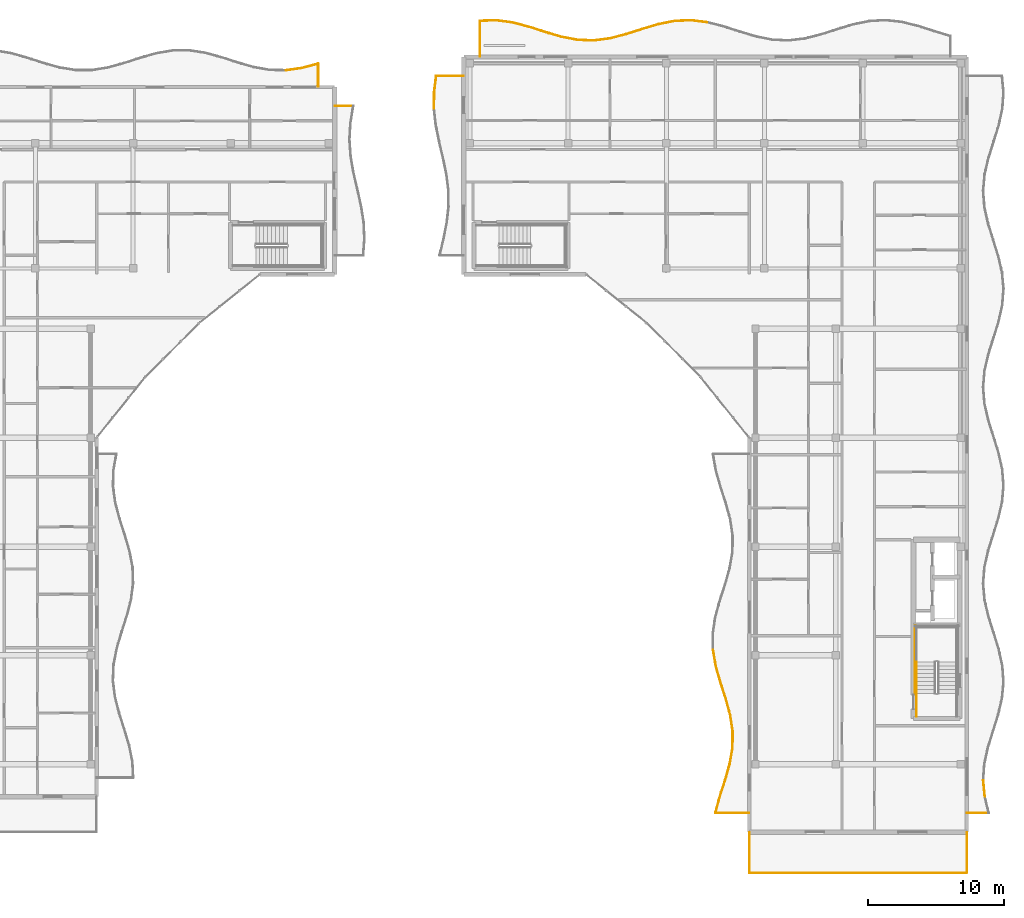
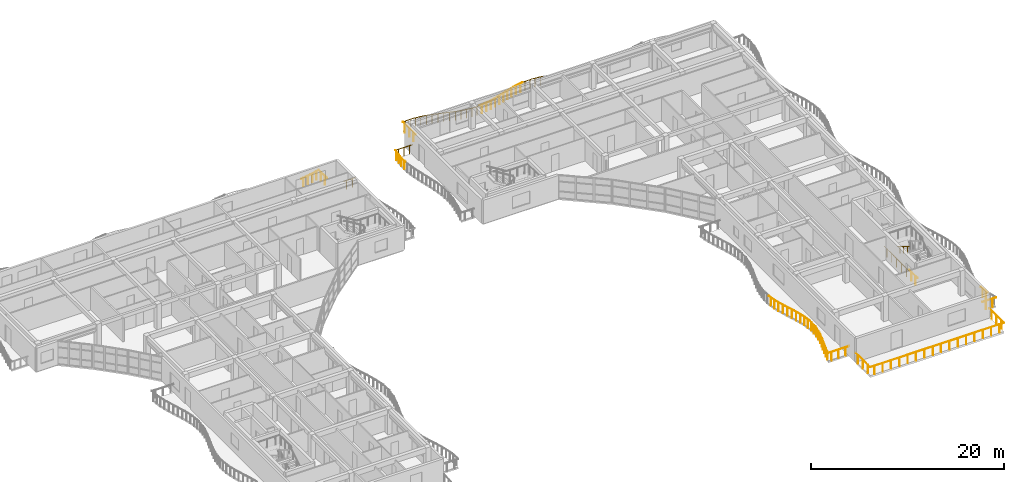
# One storey, part 46 of 49: 41 railings.
"""IFC4 building model written with IfcOpenShell, lengths in metres."""

from ifc_helpers import new_model, si_unit, direction, frame, origin, origin_2d, place, context, subcontext, project, spatial, circle, extrude, material, type_object, element, save


model = new_model("IFC4")

# Units and contexts
model_context = context("Model", 3, precision=1e-05, world=origin(), true_north=direction((0.0, 1.0)))
body_context = subcontext(model_context, "Body", "Model", "MODEL_VIEW")
ifc_project = project(units=[si_unit("LENGTHUNIT", "METRE"), si_unit("AREAUNIT", "SQUARE_METRE"), si_unit("VOLUMEUNIT", "CUBIC_METRE"), si_unit("PLANEANGLEUNIT", "RADIAN"), si_unit("MASSUNIT", "GRAM", prefix="KILO")], contexts=[model_context])

# Site, building, storey
site_placement = place(None, origin())
site = spatial("IfcSite", under=ifc_project, at=site_placement, CompositionType="ELEMENT")
building_placement = place(site_placement, origin())
building = spatial("IfcBuilding", under=site, at=building_placement, Name="Keldmere Railside Commons", CompositionType="ELEMENT")
storey_placement = place(building_placement, frame((0.0, 0.0, 29.760009765625)))
storey = spatial("IfcBuildingStorey", under=building, at=storey_placement, Name="L09", CompositionType="ELEMENT", Elevation=29.760009765625)

# Railings
ifc_material = material(Name="Steel F-24 (S235)", Category="steel")
railing_type_1 = type_object("IfcRailingType", Name="Balcony & Terrace Steel Balustrade 1100", PredefinedType="BALUSTRADE", material=ifc_material)
railing_1_placement = place(storey_placement, frame((133.9228515625, 115.015380859375, 0.0)))
element("IfcRailing", 1, at=railing_1_placement, inside=storey, type_object=railing_type_1, Name="GR-1 GRD-L09-2873", PredefinedType="BALUSTRADE", context=body_context, shape_type="SweptSolid", body=[
    extrude(circle(Radius=0.02392578125, at=origin_2d()), frame((0.0, 0.0, 1.076171875), z_axis=(0.989790277009, 0.142531426496, 0.0), x_axis=(-0.142531426496, 0.989790277009, 0.0)), (0.0, 0.0, 1.0), 1.20068359375),
    extrude(circle(Radius=0.02099609375, at=origin_2d()), frame((0.297119140625, 0.042724609375, 0.0)), (0.0, 0.0, 1.0), 1.048095703125),
    extrude(circle(Radius=0.02099609375, at=origin_2d()), frame((0.891357421875, 0.12841796875, 0.0)), (0.0, 0.0, 1.0), 1.048095703125),
])
railing_2_placement = place(storey_placement, frame((135.111328125, 115.1865234375, 0.0)))
element("IfcRailing", 2, at=railing_2_placement, inside=storey, type_object=railing_type_1, Name="GR-1 GRD-L09-2874", PredefinedType="BALUSTRADE", context=body_context, shape_type="SweptSolid", body=[
    extrude(circle(Radius=0.02392578125, at=origin_2d()), frame((0.0, 0.0, 1.076171875), z_axis=(0.965709530189, 0.25962492812, 0.0), x_axis=(-0.25962492812, 0.965709530189, 0.0)), (0.0, 0.0, 1.0), 1.23095703125),
    extrude(circle(Radius=0.02099609375, at=origin_2d()), frame((0.297119140625, 0.079833984375, 0.0)), (0.0, 0.0, 1.0), 1.048095703125),
    extrude(circle(Radius=0.02099609375, at=origin_2d()), frame((0.8916015625, 0.23974609375, 0.0)), (0.0, 0.0, 1.0), 1.048095703125),
])
railing_3_placement = place(storey_placement, frame((136.300048828125, 115.506103515625, 0.0)))
element("IfcRailing", 3, at=railing_3_placement, inside=storey, type_object=railing_type_1, Name="GR-1 GRD-L09-2875", PredefinedType="BALUSTRADE", context=body_context, shape_type="SweptSolid", body=[
    extrude(circle(Radius=0.02392578125, at=origin_2d()), frame((0.0, 0.0, 1.076171875), z_axis=(0.0, -1.0, 0.0), x_axis=(1.0, 0.0, 0.0)), (0.0, 0.0, 1.0), 1.7060546875),
    extrude(circle(Radius=0.02099609375, at=origin_2d()), frame((0.0, -0.426513671875, 0.0)), (0.0, 0.0, 1.0), 1.048095703125),
    extrude(circle(Radius=0.02099609375, at=origin_2d()), frame((0.0, -1.279541015625, 0.0)), (0.0, 0.0, 1.0), 1.048095703125),
])
railing_4_placement = place(storey_placement, frame((138.87841796875, 112.39990234375, 0.0)))
element("IfcRailing", 4, at=railing_4_placement, inside=storey, type_object=railing_type_1, Name="GR-1 GRD-L09-2932", PredefinedType="BALUSTRADE", context=body_context, shape_type="SweptSolid", body=[
    extrude(circle(Radius=0.02392578125, at=origin_2d()), frame((0.0, 0.0, 1.076171875), z_axis=(-1.0, 0.0, 0.0), x_axis=(0.0, -1.0, 0.0)), (0.0, 0.0, 1.0), 1.37841796875),
    extrude(circle(Radius=0.02099609375, at=origin_2d()), frame((-0.3447265625, 0.0, 0.0)), (0.0, 0.0, 1.0), 1.048095703125),
    extrude(circle(Radius=0.02099609375, at=origin_2d()), frame((-1.03369140625, 0.0, 0.0)), (0.0, 0.0, 1.0), 1.048095703125),
])
railing_5_placement = place(storey_placement, frame((148.199951171875, 116.0, 0.0)))
element("IfcRailing", 5, at=railing_5_placement, inside=storey, type_object=railing_type_1, Name="GR-1 GRD-L09-4220", PredefinedType="BALUSTRADE", context=body_context, shape_type="SweptSolid", body=[
    extrude(circle(Radius=0.02392578125, at=origin_2d()), frame((0.0, 0.0, 1.076171875), z_axis=(0.0, 1.0, 0.0), x_axis=(-1.0, 0.0, 0.0)), (0.0, 0.0, 1.0), 2.653564453125),
    extrude(circle(Radius=0.02099609375, at=origin_2d()), frame((0.0, 0.4423828125, 0.0)), (0.0, 0.0, 1.0), 1.048095703125),
    extrude(circle(Radius=0.02099609375, at=origin_2d()), frame((0.0, 1.32666015625, 0.0)), (0.0, 0.0, 1.0), 1.048095703125),
    extrude(circle(Radius=0.02099609375, at=origin_2d()), frame((0.0, 2.21142578125, 0.0)), (0.0, 0.0, 1.0), 1.048095703125),
])
railing_6_placement = place(storey_placement, frame((148.199951171875, 118.653564453125, 0.0)))
element("IfcRailing", 6, at=railing_6_placement, inside=storey, type_object=railing_type_1, Name="GR-1 GRD-L09-4221", PredefinedType="BALUSTRADE", context=body_context, shape_type="SweptSolid", body=[
    extrude(circle(Radius=0.02392578125, at=origin_2d()), frame((0.0, 0.0, 1.076171875), z_axis=(0.999541741901, 0.03027054999, 0.0), x_axis=(-0.03027054999, 0.999541741901, 0.0)), (0.0, 0.0, 1.0), 1.193603515625),
    extrude(circle(Radius=0.02099609375, at=origin_2d()), frame((0.29833984375, 0.009033203125, 0.0)), (0.0, 0.0, 1.0), 1.048095703125),
    extrude(circle(Radius=0.02099609375, at=origin_2d()), frame((0.894775390625, 0.027099609375, 0.0)), (0.0, 0.0, 1.0), 1.048095703125),
])
railing_7_placement = place(storey_placement, frame((149.39306640625, 118.689697265625, 0.0)))
element("IfcRailing", 7, at=railing_7_placement, inside=storey, type_object=railing_type_1, Name="GR-1 GRD-L09-4222", PredefinedType="BALUSTRADE", context=body_context, shape_type="SweptSolid", body=[
    extrude(circle(Radius=0.02392578125, at=origin_2d()), frame((0.0, 0.0, 1.076171875), z_axis=(0.991137334111, -0.132841201932, 0.0), x_axis=(0.132841201932, 0.991137334111, 0.0)), (0.0, 0.0, 1.0), 1.203857421875),
    extrude(circle(Radius=0.02099609375, at=origin_2d()), frame((0.29833984375, -0.0400390625, 0.0)), (0.0, 0.0, 1.0), 1.048095703125),
    extrude(circle(Radius=0.02099609375, at=origin_2d()), frame((0.894775390625, -0.119873046875, 0.0)), (0.0, 0.0, 1.0), 1.048095703125),
])
railing_8_placement = place(storey_placement, frame((150.586181640625, 118.52978515625, 0.0)))
element("IfcRailing", 8, at=railing_8_placement, inside=storey, type_object=railing_type_1, Name="GR-1 GRD-L09-4223", PredefinedType="BALUSTRADE", context=body_context, shape_type="SweptSolid", body=[
    extrude(circle(Radius=0.02392578125, at=origin_2d()), frame((0.0, 0.0, 1.076171875), z_axis=(0.967174441864, -0.254113358574, 0.0), x_axis=(0.254113358574, 0.967174441864, 0.0)), (0.0, 0.0, 1.0), 1.233642578125),
    extrude(circle(Radius=0.02099609375, at=origin_2d()), frame((0.29833984375, -0.078369140625, 0.0)), (0.0, 0.0, 1.0), 1.048095703125),
    extrude(circle(Radius=0.02099609375, at=origin_2d()), frame((0.894775390625, -0.235107421875, 0.0)), (0.0, 0.0, 1.0), 1.048095703125),
])
railing_9_placement = place(storey_placement, frame((151.779296875, 118.21630859375, 0.0)))
element("IfcRailing", 9, at=railing_9_placement, inside=storey, type_object=railing_type_1, Name="GR-1 GRD-L09-4224", PredefinedType="BALUSTRADE", context=body_context, shape_type="SweptSolid", body=[
    extrude(circle(Radius=0.02392578125, at=origin_2d()), frame((0.0, 0.0, 1.076171875), z_axis=(0.951904858272, -0.306393767559, 0.0), x_axis=(0.306393767559, 0.951904858272, 0.0)), (0.0, 0.0, 1.0), 1.25341796875),
    extrude(circle(Radius=0.02099609375, at=origin_2d()), frame((0.29833984375, -0.095947265625, 0.0)), (0.0, 0.0, 1.0), 1.048095703125),
    extrude(circle(Radius=0.02099609375, at=origin_2d()), frame((0.894775390625, -0.2880859375, 0.0)), (0.0, 0.0, 1.0), 1.048095703125),
])
railing_10_placement = place(storey_placement, frame((152.972412109375, 117.832275390625, 0.0)))
element("IfcRailing", 10, at=railing_10_placement, inside=storey, type_object=railing_type_1, Name="GR-1 GRD-L09-4225", PredefinedType="BALUSTRADE", context=body_context, shape_type="SweptSolid", body=[
    extrude(circle(Radius=0.02392578125, at=origin_2d()), frame((0.0, 0.0, 1.076171875), z_axis=(0.958958306381, -0.283547115351, 0.0), x_axis=(0.283547115351, 0.958958306381, 0.0)), (0.0, 0.0, 1.0), 1.244140625),
    extrude(circle(Radius=0.02099609375, at=origin_2d()), frame((0.29833984375, -0.088134765625, 0.0)), (0.0, 0.0, 1.0), 1.048095703125),
    extrude(circle(Radius=0.02099609375, at=origin_2d()), frame((0.894775390625, -0.2646484375, 0.0)), (0.0, 0.0, 1.0), 1.048095703125),
])
railing_11_placement = place(storey_placement, frame((154.16552734375, 117.4794921875, 0.0)))
element("IfcRailing", 11, at=railing_11_placement, inside=storey, type_object=railing_type_1, Name="GR-1 GRD-L09-4226", PredefinedType="BALUSTRADE", context=body_context, shape_type="SweptSolid", body=[
    extrude(circle(Radius=0.02392578125, at=origin_2d()), frame((0.0, 0.0, 1.076171875), z_axis=(0.982185194614, -0.187915522194, 0.0), x_axis=(0.187915522194, 0.982185194614, 0.0)), (0.0, 0.0, 1.0), 1.21484375),
    extrude(circle(Radius=0.02099609375, at=origin_2d()), frame((0.29833984375, -0.05712890625, 0.0)), (0.0, 0.0, 1.0), 1.048095703125),
    extrude(circle(Radius=0.02099609375, at=origin_2d()), frame((0.894775390625, -0.171142578125, 0.0)), (0.0, 0.0, 1.0), 1.048095703125),
])
railing_12_placement = place(storey_placement, frame((155.358642578125, 117.251220703125, 0.0)))
element("IfcRailing", 12, at=railing_12_placement, inside=storey, type_object=railing_type_1, Name="GR-1 GRD-L09-4227", PredefinedType="BALUSTRADE", context=body_context, shape_type="SweptSolid", body=[
    extrude(circle(Radius=0.02392578125, at=origin_2d()), frame((0.0, 0.0, 1.076171875), z_axis=(0.999352129132, -0.035990582101, 0.0), x_axis=(0.035990582101, 0.999352129132, 0.0)), (0.0, 0.0, 1.0), 1.19384765625),
    extrude(circle(Radius=0.02099609375, at=origin_2d()), frame((0.29833984375, -0.0107421875, 0.0)), (0.0, 0.0, 1.0), 1.048095703125),
    extrude(circle(Radius=0.02099609375, at=origin_2d()), frame((0.894775390625, -0.0322265625, 0.0)), (0.0, 0.0, 1.0), 1.048095703125),
])
railing_13_placement = place(storey_placement, frame((156.5517578125, 117.208251953125, 0.0)))
element("IfcRailing", 13, at=railing_13_placement, inside=storey, type_object=railing_type_1, Name="GR-1 GRD-L09-4228", PredefinedType="BALUSTRADE", context=body_context, shape_type="SweptSolid", body=[
    extrude(circle(Radius=0.02392578125, at=origin_2d()), frame((0.0, 0.0, 1.076171875), z_axis=(0.991818531153, 0.127655792121, 0.0), x_axis=(-0.127655792121, 0.991818531153, 0.0)), (0.0, 0.0, 1.0), 1.202880859375),
    extrude(circle(Radius=0.02099609375, at=origin_2d()), frame((0.29833984375, 0.038330078125, 0.0)), (0.0, 0.0, 1.0), 1.048095703125),
    extrude(circle(Radius=0.02099609375, at=origin_2d()), frame((0.894775390625, 0.115234375, 0.0)), (0.0, 0.0, 1.0), 1.048095703125),
])
railing_14_placement = place(storey_placement, frame((157.744873046875, 117.36181640625, 0.0)))
element("IfcRailing", 14, at=railing_14_placement, inside=storey, type_object=railing_type_1, Name="GR-1 GRD-L09-4229", PredefinedType="BALUSTRADE", context=body_context, shape_type="SweptSolid", body=[
    extrude(circle(Radius=0.02392578125, at=origin_2d()), frame((0.0, 0.0, 1.076171875), z_axis=(0.967996898166, 0.250962158784, 0.0), x_axis=(-0.250962158784, 0.967996898166, 0.0)), (0.0, 0.0, 1.0), 1.232666015625),
    extrude(circle(Radius=0.02099609375, at=origin_2d()), frame((0.29833984375, 0.077392578125, 0.0)), (0.0, 0.0, 1.0), 1.048095703125),
    extrude(circle(Radius=0.02099609375, at=origin_2d()), frame((0.894775390625, 0.23193359375, 0.0)), (0.0, 0.0, 1.0), 1.048095703125),
])
railing_15_placement = place(storey_placement, frame((158.93798828125, 117.671142578125, 0.0)))
element("IfcRailing", 15, at=railing_15_placement, inside=storey, type_object=railing_type_1, Name="GR-1 GRD-L09-4230", PredefinedType="BALUSTRADE", context=body_context, shape_type="SweptSolid", body=[
    extrude(circle(Radius=0.02392578125, at=origin_2d()), frame((0.0, 0.0, 1.076171875), z_axis=(0.952131890482, 0.305687525305, 0.0), x_axis=(-0.305687525305, 0.952131890482, 0.0)), (0.0, 0.0, 1.0), 1.253173828125),
    extrude(circle(Radius=0.02099609375, at=origin_2d()), frame((0.29833984375, 0.095703125, 0.0)), (0.0, 0.0, 1.0), 1.048095703125),
    extrude(circle(Radius=0.02099609375, at=origin_2d()), frame((0.894775390625, 0.287353515625, 0.0)), (0.0, 0.0, 1.0), 1.048095703125),
])
railing_16_placement = place(storey_placement, frame((160.131103515625, 118.05419921875, 0.0)))
element("IfcRailing", 16, at=railing_16_placement, inside=storey, type_object=railing_type_1, Name="GR-1 GRD-L09-4231", PredefinedType="BALUSTRADE", context=body_context, shape_type="SweptSolid", body=[
    extrude(circle(Radius=0.02392578125, at=origin_2d()), frame((0.0, 0.0, 1.076171875), z_axis=(0.958316023024, 0.285710342858, 0.0), x_axis=(-0.285710342858, 0.958316023024, 0.0)), (0.0, 0.0, 1.0), 1.2451171875),
    extrude(circle(Radius=0.02099609375, at=origin_2d()), frame((0.29833984375, 0.0888671875, 0.0)), (0.0, 0.0, 1.0), 1.048095703125),
    extrude(circle(Radius=0.02099609375, at=origin_2d()), frame((0.894775390625, 0.266845703125, 0.0)), (0.0, 0.0, 1.0), 1.048095703125),
])
railing_17_placement = place(storey_placement, frame((161.32421875, 118.409912109375, 0.0)))
element("IfcRailing", 17, at=railing_17_placement, inside=storey, type_object=railing_type_1, Name="GR-1 GRD-L09-4232", PredefinedType="BALUSTRADE", context=body_context, shape_type="SweptSolid", body=[
    extrude(circle(Radius=0.02392578125, at=origin_2d()), frame((0.0, 0.0, 1.076171875), z_axis=(0.981315236817, 0.19240687615, 0.0), x_axis=(-0.19240687615, 0.981315236817, 0.0)), (0.0, 0.0, 1.0), 1.215576171875),
    extrude(circle(Radius=0.02099609375, at=origin_2d()), frame((0.29833984375, 0.05859375, 0.0)), (0.0, 0.0, 1.0), 1.048095703125),
    extrude(circle(Radius=0.02099609375, at=origin_2d()), frame((0.89453125, 0.17529296875, 0.0)), (0.0, 0.0, 1.0), 1.048095703125),
])
railing_18_placement = place(storey_placement, frame((162.51708984375, 118.643798828125, 0.0)))
element("IfcRailing", 18, at=railing_18_placement, inside=storey, type_object=railing_type_1, Name="GR-1 GRD-L09-4233", PredefinedType="BALUSTRADE", context=body_context, shape_type="SweptSolid", body=[
    extrude(circle(Radius=0.02392578125, at=origin_2d()), frame((0.0, 0.0, 1.076171875), z_axis=(0.999129881221, 0.041707079142, 0.0), x_axis=(-0.041707079142, 0.999129881221, 0.0)), (0.0, 0.0, 1.0), 1.194091796875),
    extrude(circle(Radius=0.02099609375, at=origin_2d()), frame((0.29833984375, 0.012451171875, 0.0)), (0.0, 0.0, 1.0), 1.048095703125),
    extrude(circle(Radius=0.02099609375, at=origin_2d()), frame((0.894775390625, 0.037353515625, 0.0)), (0.0, 0.0, 1.0), 1.048095703125),
])
railing_19_placement = place(storey_placement, frame((163.710205078125, 118.693603515625, 0.0)))
element("IfcRailing", 19, at=railing_19_placement, inside=storey, type_object=railing_type_1, Name="GR-1 GRD-L09-4234", PredefinedType="BALUSTRADE", context=body_context, shape_type="SweptSolid", body=[
    extrude(circle(Radius=0.02392578125, at=origin_2d()), frame((0.0, 0.0, 1.076171875), z_axis=(0.992498125861, -0.122259846893, 0.0), x_axis=(0.122259846893, 0.992498125861, 0.0)), (0.0, 0.0, 1.0), 1.2021484375),
    extrude(circle(Radius=0.02099609375, at=origin_2d()), frame((0.29833984375, -0.03662109375, 0.0)), (0.0, 0.0, 1.0), 1.048095703125),
    extrude(circle(Radius=0.02099609375, at=origin_2d()), frame((0.894775390625, -0.1103515625, 0.0)), (0.0, 0.0, 1.0), 1.048095703125),
])
railing_20_placement = place(storey_placement, frame((168.0, 60.39990234375, 0.0)))
element("IfcRailing", 20, at=railing_20_placement, inside=storey, type_object=railing_type_1, Name="GR-1 GRD-L09-4251", PredefinedType="BALUSTRADE", context=body_context, shape_type="SweptSolid", body=[
    extrude(circle(Radius=0.02392578125, at=origin_2d()), frame((0.0, 0.0, 1.076171875), z_axis=(-1.0, 0.0, 0.0), x_axis=(0.0, -1.0, 0.0)), (0.0, 0.0, 1.0), 2.500732421875),
    extrude(circle(Radius=0.02099609375, at=origin_2d()), frame((-0.416748046875, 0.0, 0.0)), (0.0, 0.0, 1.0), 1.048095703125),
    extrude(circle(Radius=0.02099609375, at=origin_2d()), frame((-1.25048828125, 0.0, 0.0)), (0.0, 0.0, 1.0), 1.048095703125),
    extrude(circle(Radius=0.02099609375, at=origin_2d()), frame((-2.083984375, 0.0, 0.0)), (0.0, 0.0, 1.0), 1.048095703125),
])
railing_21_placement = place(storey_placement, frame((165.499267578125, 60.39990234375, 0.0)))
element("IfcRailing", 21, at=railing_21_placement, inside=storey, type_object=railing_type_1, Name="GR-1 GRD-L09-4252", PredefinedType="BALUSTRADE", context=body_context, shape_type="SweptSolid", body=[
    extrude(circle(Radius=0.02392578125, at=origin_2d()), frame((0.0, 0.0, 1.076171875), z_axis=(0.263715061136, 0.964600625404, 0.0), x_axis=(-0.964600625404, 0.263715061136, 0.0)), (0.0, 0.0, 1.0), 1.244140625),
    extrude(circle(Radius=0.02099609375, at=origin_2d()), frame((0.08203125, 0.300048828125, 0.0)), (0.0, 0.0, 1.0), 1.048095703125),
    extrude(circle(Radius=0.02099609375, at=origin_2d()), frame((0.24609375, 0.900146484375, 0.0)), (0.0, 0.0, 1.0), 1.048095703125),
])
railing_22_placement = place(storey_placement, frame((165.827392578125, 61.60009765625, 0.0)))
element("IfcRailing", 22, at=railing_22_placement, inside=storey, type_object=railing_type_1, Name="GR-1 GRD-L09-4253", PredefinedType="BALUSTRADE", context=body_context, shape_type="SweptSolid", body=[
    extrude(circle(Radius=0.02392578125, at=origin_2d()), frame((0.0, 0.0, 1.076171875), z_axis=(0.307619257165, 0.951509533647, 0.0), x_axis=(-0.951509533647, 0.307619257165, 0.0)), (0.0, 0.0, 1.0), 1.260986328125),
    extrude(circle(Radius=0.02099609375, at=origin_2d()), frame((0.096923828125, 0.300048828125, 0.0)), (0.0, 0.0, 1.0), 1.048095703125),
    extrude(circle(Radius=0.02099609375, at=origin_2d()), frame((0.291015625, 0.89990234375, 0.0)), (0.0, 0.0, 1.0), 1.048095703125),
])
railing_23_placement = place(storey_placement, frame((166.21533203125, 62.800048828125, 0.0)))
element("IfcRailing", 23, at=railing_23_placement, inside=storey, type_object=railing_type_1, Name="GR-1 GRD-L09-4254", PredefinedType="BALUSTRADE", context=body_context, shape_type="SweptSolid", body=[
    extrude(circle(Radius=0.02392578125, at=origin_2d()), frame((0.0, 0.0, 1.076171875), z_axis=(0.275392714416, 0.961331812043, 0.0), x_axis=(-0.961331812043, 0.275392714416, 0.0)), (0.0, 0.0, 1.0), 1.248291015625),
    extrude(circle(Radius=0.02099609375, at=origin_2d()), frame((0.0859375, 0.300048828125, 0.0)), (0.0, 0.0, 1.0), 1.048095703125),
    extrude(circle(Radius=0.02099609375, at=origin_2d()), frame((0.2578125, 0.89990234375, 0.0)), (0.0, 0.0, 1.0), 1.048095703125),
])
railing_24_placement = place(storey_placement, frame((166.55908203125, 64.0, 0.0)))
element("IfcRailing", 24, at=railing_24_placement, inside=storey, type_object=railing_type_1, Name="GR-1 GRD-L09-4255", PredefinedType="BALUSTRADE", context=body_context, shape_type="SweptSolid", body=[
    extrude(circle(Radius=0.02392578125, at=origin_2d()), frame((0.0, 0.0, 1.076171875), z_axis=(0.170021054846, 0.985440429914, 0.0), x_axis=(-0.985440429914, 0.170021054846, 0.0)), (0.0, 0.0, 1.0), 1.2177734375),
    extrude(circle(Radius=0.02099609375, at=origin_2d()), frame((0.0517578125, 0.300048828125, 0.0)), (0.0, 0.0, 1.0), 1.048095703125),
    extrude(circle(Radius=0.02099609375, at=origin_2d()), frame((0.1552734375, 0.89990234375, 0.0)), (0.0, 0.0, 1.0), 1.048095703125),
])
railing_25_placement = place(storey_placement, frame((166.76611328125, 65.199951171875, 0.0)))
element("IfcRailing", 25, at=railing_25_placement, inside=storey, type_object=railing_type_1, Name="GR-1 GRD-L09-4256", PredefinedType="BALUSTRADE", context=body_context, shape_type="SweptSolid", body=[
    extrude(circle(Radius=0.02392578125, at=origin_2d()), frame((0.0, 0.0, 1.076171875), z_axis=(0.012816851522, 0.999917860785, 0.0), x_axis=(-0.999917860785, 0.012816851522, 0.0)), (0.0, 0.0, 1.0), 1.199951171875),
    extrude(circle(Radius=0.02099609375, at=origin_2d()), frame((0.00390625, 0.300048828125, 0.0)), (0.0, 0.0, 1.0), 1.048095703125),
    extrude(circle(Radius=0.02099609375, at=origin_2d()), frame((0.011474609375, 0.89990234375, 0.0)), (0.0, 0.0, 1.0), 1.048095703125),
])
railing_26_placement = place(storey_placement, frame((166.781494140625, 66.39990234375, 0.0)))
element("IfcRailing", 26, at=railing_26_placement, inside=storey, type_object=railing_type_1, Name="GR-1 GRD-L09-4257", PredefinedType="BALUSTRADE", context=body_context, shape_type="SweptSolid", body=[
    extrude(circle(Radius=0.02392578125, at=origin_2d()), frame((0.0, 0.0, 1.076171875), z_axis=(-0.148851917906, 0.988859497874, 0.0), x_axis=(-0.988859497874, -0.148851917906, 0.0)), (0.0, 0.0, 1.0), 1.213623046875),
    extrude(circle(Radius=0.02099609375, at=origin_2d()), frame((-0.045166015625, 0.300048828125, 0.0)), (0.0, 0.0, 1.0), 1.048095703125),
    extrude(circle(Radius=0.02099609375, at=origin_2d()), frame((-0.135498046875, 0.900146484375, 0.0)), (0.0, 0.0, 1.0), 1.048095703125),
])
railing_27_placement = place(storey_placement, frame((166.600830078125, 67.60009765625, 0.0)))
element("IfcRailing", 27, at=railing_27_placement, inside=storey, type_object=railing_type_1, Name="GR-1 GRD-L09-4258", PredefinedType="BALUSTRADE", context=body_context, shape_type="SweptSolid", body=[
    extrude(circle(Radius=0.02392578125, at=origin_2d()), frame((0.0, 0.0, 1.076171875), z_axis=(-0.263947569515, 0.964537029122, 0.0), x_axis=(-0.964537029122, -0.263947569515, 0.0)), (0.0, 0.0, 1.0), 1.244140625),
    extrude(circle(Radius=0.02099609375, at=origin_2d()), frame((-0.08203125, 0.300048828125, 0.0)), (0.0, 0.0, 1.0), 1.048095703125),
    extrude(circle(Radius=0.02099609375, at=origin_2d()), frame((-0.246337890625, 0.89990234375, 0.0)), (0.0, 0.0, 1.0), 1.048095703125),
])
railing_28_placement = place(storey_placement, frame((166.2724609375, 68.800048828125, 0.0)))
element("IfcRailing", 28, at=railing_28_placement, inside=storey, type_object=railing_type_1, Name="GR-1 GRD-L09-4259", PredefinedType="BALUSTRADE", context=body_context, shape_type="SweptSolid", body=[
    extrude(circle(Radius=0.02392578125, at=origin_2d()), frame((0.0, 0.0, 1.076171875), z_axis=(-0.307619257165, 0.951509533647, 0.0), x_axis=(-0.951509533647, -0.307619257165, 0.0)), (0.0, 0.0, 1.0), 1.260986328125),
    extrude(circle(Radius=0.02099609375, at=origin_2d()), frame((-0.096923828125, 0.300048828125, 0.0)), (0.0, 0.0, 1.0), 1.048095703125),
    extrude(circle(Radius=0.02099609375, at=origin_2d()), frame((-0.291015625, 0.89990234375, 0.0)), (0.0, 0.0, 1.0), 1.048095703125),
])
railing_29_placement = place(storey_placement, frame((165.884521484375, 70.0, 0.0)))
element("IfcRailing", 29, at=railing_29_placement, inside=storey, type_object=railing_type_1, Name="GR-1 GRD-L09-4260", PredefinedType="BALUSTRADE", context=body_context, shape_type="SweptSolid", body=[
    extrude(circle(Radius=0.02392578125, at=origin_2d()), frame((0.0, 0.0, 1.076171875), z_axis=(-0.275211942275, 0.961383579446, 0.0), x_axis=(-0.961383579446, -0.275211942275, 0.0)), (0.0, 0.0, 1.0), 1.248046875),
    extrude(circle(Radius=0.02099609375, at=origin_2d()), frame((-0.0859375, 0.300048828125, 0.0)), (0.0, 0.0, 1.0), 1.048095703125),
    extrude(circle(Radius=0.02099609375, at=origin_2d()), frame((-0.257568359375, 0.89990234375, 0.0)), (0.0, 0.0, 1.0), 1.048095703125),
])
railing_30_placement = place(storey_placement, frame((165.541015625, 71.199951171875, 0.0)))
element("IfcRailing", 30, at=railing_30_placement, inside=storey, type_object=railing_type_1, Name="GR-1 GRD-L09-4261", PredefinedType="BALUSTRADE", context=body_context, shape_type="SweptSolid", body=[
    extrude(circle(Radius=0.02392578125, at=origin_2d()), frame((0.0, 0.0, 1.076171875), z_axis=(-0.170215745629, 0.985406819512, 0.0), x_axis=(-0.985406819512, -0.170215745629, 0.0)), (0.0, 0.0, 1.0), 1.2177734375),
    extrude(circle(Radius=0.02099609375, at=origin_2d()), frame((-0.0517578125, 0.300048828125, 0.0)), (0.0, 0.0, 1.0), 1.048095703125),
    extrude(circle(Radius=0.02099609375, at=origin_2d()), frame((-0.155517578125, 0.89990234375, 0.0)), (0.0, 0.0, 1.0), 1.048095703125),
])
railing_31_placement = place(storey_placement, frame((184.0, 60.39990234375, 0.0)))
element("IfcRailing", 31, at=railing_31_placement, inside=storey, type_object=railing_type_1, Name="GR-1 GRD-L09-4275", PredefinedType="BALUSTRADE", context=body_context, shape_type="SweptSolid", body=[
    extrude(circle(Radius=0.02392578125, at=origin_2d()), frame((0.0, 0.0, 1.076171875), z_axis=(1.0, 0.0, 0.0), x_axis=(0.0, 1.0, 0.0)), (0.0, 0.0, 1.0), 1.606689453125),
    extrude(circle(Radius=0.02099609375, at=origin_2d()), frame((0.401611328125, 0.0, 0.0)), (0.0, 0.0, 1.0), 1.048095703125),
    extrude(circle(Radius=0.02099609375, at=origin_2d()), frame((1.205078125, 0.0, 0.0)), (0.0, 0.0, 1.0), 1.048095703125),
])
railing_32_placement = place(storey_placement, frame((185.318603515625, 61.6044921875, 0.0)))
element("IfcRailing", 32, at=railing_32_placement, inside=storey, type_object=railing_type_1, Name="GR-1 GRD-L09-4277", PredefinedType="BALUSTRADE", context=body_context, shape_type="SweptSolid", body=[
    extrude(circle(Radius=0.02392578125, at=origin_2d()), frame((0.0, 0.0, 1.076171875), z_axis=(-0.097446039149, 0.995240809781, 0.0), x_axis=(-0.995240809781, -0.097446039149, 0.0)), (0.0, 0.0, 1.0), 1.210205078125),
    extrude(circle(Radius=0.02099609375, at=origin_2d()), frame((-0.029541015625, 0.301025390625, 0.0)), (0.0, 0.0, 1.0), 1.048095703125),
    extrude(circle(Radius=0.02099609375, at=origin_2d()), frame((-0.08837890625, 0.9033203125, 0.0)), (0.0, 0.0, 1.0), 1.048095703125),
])
railing_33_placement = place(storey_placement, frame((144.813720703125, 112.199951171875, 0.0)))
element("IfcRailing", 33, at=railing_33_placement, inside=storey, type_object=railing_type_1, Name="GR-1 GRD-L09-4332", PredefinedType="BALUSTRADE", context=body_context, shape_type="SweptSolid", body=[
    extrude(circle(Radius=0.02392578125, at=origin_2d()), frame((0.0, 0.0, 1.076171875), z_axis=(0.008951828482, 0.999959931581, 0.0), x_axis=(-0.999959931581, 0.008951828482, 0.0)), (0.0, 0.0, 1.0), 1.199951171875),
    extrude(circle(Radius=0.02099609375, at=origin_2d()), frame((0.002685546875, 0.300048828125, 0.0)), (0.0, 0.0, 1.0), 1.048095703125),
    extrude(circle(Radius=0.02099609375, at=origin_2d()), frame((0.008056640625, 0.89990234375, 0.0)), (0.0, 0.0, 1.0), 1.048095703125),
])
railing_34_placement = place(storey_placement, frame((144.824462890625, 113.39990234375, 0.0)))
element("IfcRailing", 34, at=railing_34_placement, inside=storey, type_object=railing_type_1, Name="GR-1 GRD-L09-4333", PredefinedType="BALUSTRADE", context=body_context, shape_type="SweptSolid", body=[
    extrude(circle(Radius=0.02392578125, at=origin_2d()), frame((0.0, 0.0, 1.076171875), z_axis=(0.125127585159, 0.992140659096, 0.0), x_axis=(-0.992140659096, 0.125127585159, 0.0)), (0.0, 0.0, 1.0), 1.209716796875),
    extrude(circle(Radius=0.02099609375, at=origin_2d()), frame((0.037841796875, 0.300048828125, 0.0)), (0.0, 0.0, 1.0), 1.048095703125),
    extrude(circle(Radius=0.02099609375, at=origin_2d()), frame((0.113525390625, 0.900146484375, 0.0)), (0.0, 0.0, 1.0), 1.048095703125),
])
railing_35_placement = place(storey_placement, frame((144.975830078125, 114.60009765625, 0.0)))
element("IfcRailing", 35, at=railing_35_placement, inside=storey, type_object=railing_type_1, Name="GR-1 GRD-L09-4334", PredefinedType="BALUSTRADE", context=body_context, shape_type="SweptSolid", body=[
    extrude(circle(Radius=0.02392578125, at=origin_2d()), frame((0.0, 0.0, 1.076171875), z_axis=(1.0, 0.0, 0.0), x_axis=(0.0, 1.0, 0.0)), (0.0, 0.0, 1.0), 2.024169921875),
    extrude(circle(Radius=0.02099609375, at=origin_2d()), frame((0.33740234375, 0.0, 0.0)), (0.0, 0.0, 1.0), 1.048095703125),
    extrude(circle(Radius=0.02099609375, at=origin_2d()), frame((1.01220703125, 0.0, 0.0)), (0.0, 0.0, 1.0), 1.048095703125),
    extrude(circle(Radius=0.02099609375, at=origin_2d()), frame((1.686767578125, 0.0, 0.0)), (0.0, 0.0, 1.0), 1.048095703125),
])
railing_36_placement = place(storey_placement, frame((168.0, 59.0, 0.0)))
element("IfcRailing", 36, at=railing_36_placement, inside=storey, type_object=railing_type_1, Name="GR-1 GRD-L09-4335", PredefinedType="BALUSTRADE", context=body_context, shape_type="SweptSolid", body=[
    extrude(circle(Radius=0.02392578125, at=origin_2d()), frame((0.0, 0.0, 1.076171875), z_axis=(0.0, -1.0, 0.0), x_axis=(1.0, 0.0, 0.0)), (0.0, 0.0, 1.0), 3.0),
    extrude(circle(Radius=0.02099609375, at=origin_2d()), frame((0.0, -0.5, 0.0)), (0.0, 0.0, 1.0), 1.048095703125),
    extrude(circle(Radius=0.02099609375, at=origin_2d()), frame((0.0, -1.5, 0.0)), (0.0, 0.0, 1.0), 1.048095703125),
    extrude(circle(Radius=0.02099609375, at=origin_2d()), frame((0.0, -2.5, 0.0)), (0.0, 0.0, 1.0), 1.048095703125),
])
railing_37_placement = place(storey_placement, frame((168.0, 56.0, 0.0)))
element("IfcRailing", 37, at=railing_37_placement, inside=storey, type_object=railing_type_1, Name="GR-1 GRD-L09-4336", PredefinedType="BALUSTRADE", context=body_context, shape_type="SweptSolid", body=[
    extrude(circle(Radius=0.02392578125, at=origin_2d()), frame((0.0, 0.0, 1.076171875), z_axis=(1.0, 0.0, 0.0), x_axis=(0.0, 1.0, 0.0)), (0.0, 0.0, 1.0), 16.0),
    extrude(circle(Radius=0.02099609375, at=origin_2d()), frame((0.5, 0.0, 0.0)), (0.0, 0.0, 1.0), 1.048095703125),
    extrude(circle(Radius=0.02099609375, at=origin_2d()), frame((1.5, 0.0, 0.0)), (0.0, 0.0, 1.0), 1.048095703125),
    extrude(circle(Radius=0.02099609375, at=origin_2d()), frame((2.5, 0.0, 0.0)), (0.0, 0.0, 1.0), 1.048095703125),
    extrude(circle(Radius=0.02099609375, at=origin_2d()), frame((3.5, 0.0, 0.0)), (0.0, 0.0, 1.0), 1.048095703125),
    extrude(circle(Radius=0.02099609375, at=origin_2d()), frame((4.5, 0.0, 0.0)), (0.0, 0.0, 1.0), 1.048095703125),
    extrude(circle(Radius=0.02099609375, at=origin_2d()), frame((5.5, 0.0, 0.0)), (0.0, 0.0, 1.0), 1.048095703125),
    extrude(circle(Radius=0.02099609375, at=origin_2d()), frame((6.5, 0.0, 0.0)), (0.0, 0.0, 1.0), 1.048095703125),
    extrude(circle(Radius=0.02099609375, at=origin_2d()), frame((7.5, 0.0, 0.0)), (0.0, 0.0, 1.0), 1.048095703125),
    extrude(circle(Radius=0.02099609375, at=origin_2d()), frame((8.5, 0.0, 0.0)), (0.0, 0.0, 1.0), 1.048095703125),
    extrude(circle(Radius=0.02099609375, at=origin_2d()), frame((9.5, 0.0, 0.0)), (0.0, 0.0, 1.0), 1.048095703125),
    extrude(circle(Radius=0.02099609375, at=origin_2d()), frame((10.5, 0.0, 0.0)), (0.0, 0.0, 1.0), 1.048095703125),
    extrude(circle(Radius=0.02099609375, at=origin_2d()), frame((11.5, 0.0, 0.0)), (0.0, 0.0, 1.0), 1.048095703125),
    extrude(circle(Radius=0.02099609375, at=origin_2d()), frame((12.5, 0.0, 0.0)), (0.0, 0.0, 1.0), 1.048095703125),
    extrude(circle(Radius=0.02099609375, at=origin_2d()), frame((13.5, 0.0, 0.0)), (0.0, 0.0, 1.0), 1.048095703125),
    extrude(circle(Radius=0.02099609375, at=origin_2d()), frame((14.5, 0.0, 0.0)), (0.0, 0.0, 1.0), 1.048095703125),
    extrude(circle(Radius=0.02099609375, at=origin_2d()), frame((15.5, 0.0, 0.0)), (0.0, 0.0, 1.0), 1.048095703125),
])
railing_38_placement = place(storey_placement, frame((184.0, 56.0, 0.0)))
element("IfcRailing", 38, at=railing_38_placement, inside=storey, type_object=railing_type_1, Name="GR-1 GRD-L09-4337", PredefinedType="BALUSTRADE", context=body_context, shape_type="SweptSolid", body=[
    extrude(circle(Radius=0.02392578125, at=origin_2d()), frame((0.0, 0.0, 1.076171875), z_axis=(0.0, 1.0, 0.0), x_axis=(-1.0, 0.0, 0.0)), (0.0, 0.0, 1.0), 3.0),
    extrude(circle(Radius=0.02099609375, at=origin_2d()), frame((0.0, 0.5, 0.0)), (0.0, 0.0, 1.0), 1.048095703125),
    extrude(circle(Radius=0.02099609375, at=origin_2d()), frame((0.0, 1.5, 0.0)), (0.0, 0.0, 1.0), 1.048095703125),
    extrude(circle(Radius=0.02099609375, at=origin_2d()), frame((0.0, 2.5, 0.0)), (0.0, 0.0, 1.0), 1.048095703125),
])
railing_type_2 = type_object("IfcRailingType", Name="Stair Well Steel Guardrail 1100", PredefinedType="BALUSTRADE", material=ifc_material)
railing_39_placement = place(storey_placement, frame((180.300048828125, 67.5, 0.0)))
element("IfcRailing", 39, at=railing_39_placement, inside=storey, type_object=railing_type_2, Name="L09 ST-A1 stair guard 9", PredefinedType="BALUSTRADE", context=body_context, shape_type="SweptSolid", body=[
    extrude(circle(Radius=0.02392578125, at=origin_2d()), frame((0.0, 0.0, 1.076171875), z_axis=(0.0, 1.0, 0.0), x_axis=(-1.0, 0.0, 0.0)), (0.0, 0.0, 1.0), 1.699951171875),
    extrude(circle(Radius=0.02099609375, at=origin_2d()), frame((0.0, 0.425048828125, 0.0)), (0.0, 0.0, 1.0), 1.048095703125),
    extrude(circle(Radius=0.02099609375, at=origin_2d()), frame((0.0, 1.27490234375, 0.0)), (0.0, 0.0, 1.0), 1.048095703125),
])
railing_40_placement = place(storey_placement, frame((180.199951171875, 69.10009765625, 0.0)))
element("IfcRailing", 40, at=railing_40_placement, inside=storey, type_object=railing_type_2, Name="L09 ST-A1 stair guard 11", PredefinedType="BALUSTRADE", context=body_context, shape_type="SweptSolid", body=[
    extrude(circle(Radius=0.02392578125, at=origin_2d()), frame((0.0, 0.0, 1.076171875), z_axis=(0.0, 1.0, 0.0), x_axis=(-1.0, 0.0, 0.0)), (0.0, 0.0, 1.0), 5.099853515625),
    extrude(circle(Radius=0.02099609375, at=origin_2d()), frame((0.0, 0.510009765625, 0.0)), (0.0, 0.0, 1.0), 1.048095703125),
    extrude(circle(Radius=0.02099609375, at=origin_2d()), frame((0.0, 1.530029296875, 0.0)), (0.0, 0.0, 1.0), 1.048095703125),
    extrude(circle(Radius=0.02099609375, at=origin_2d()), frame((0.0, 2.5498046875, 0.0)), (0.0, 0.0, 1.0), 1.048095703125),
    extrude(circle(Radius=0.02099609375, at=origin_2d()), frame((0.0, 3.56982421875, 0.0)), (0.0, 0.0, 1.0), 1.048095703125),
    extrude(circle(Radius=0.02099609375, at=origin_2d()), frame((0.0, 4.58984375, 0.0)), (0.0, 0.0, 1.0), 1.048095703125),
])
railing_type_3 = type_object("IfcRailingType", Name="Wall-Mounted Tubular Steel Handrail 900", PredefinedType="HANDRAIL", material=ifc_material)
railing_41_placement = place(storey_placement, frame((180.300048828125, 71.52001953125, 1.77783203125)))
element("IfcRailing", 41, at=railing_41_placement, inside=storey, type_object=railing_type_3, Name="L09 ST-A1 stair handrail 2", PredefinedType="HANDRAIL", context=body_context, shape_type="SweptSolid", body=[
    extrude(circle(Radius=0.02392578125, at=origin_2d()), frame((0.0, 0.0, 0.8759765625), z_axis=(0.0, -0.852578041948, 0.522599925744), x_axis=(1.0, 0.0, 0.0)), (0.0, 0.0, 1.0), 2.72119140625),
    extrude(circle(Radius=0.02099609375, at=origin_2d()), frame((0.0, -0.38671875, 0.237060546875)), (0.0, 0.0, 1.0), 0.847900390625),
    extrude(circle(Radius=0.02099609375, at=origin_2d()), frame((0.0, -1.16015625, 0.7109375)), (0.0, 0.0, 1.0), 0.847900390625),
    extrude(circle(Radius=0.02099609375, at=origin_2d()), frame((0.0, -1.933349609375, 1.18505859375)), (0.0, 0.0, 1.0), 0.847900390625),
])

save(model, "model.ifc")
